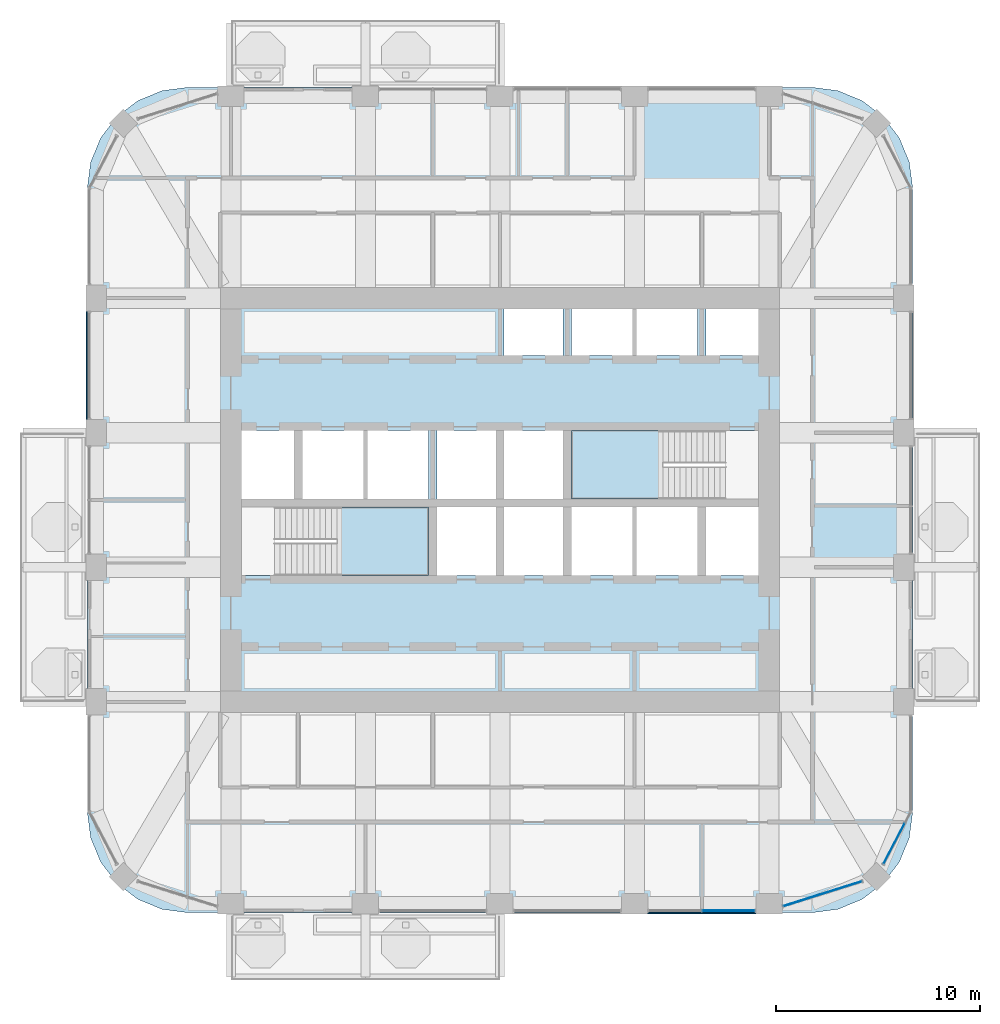
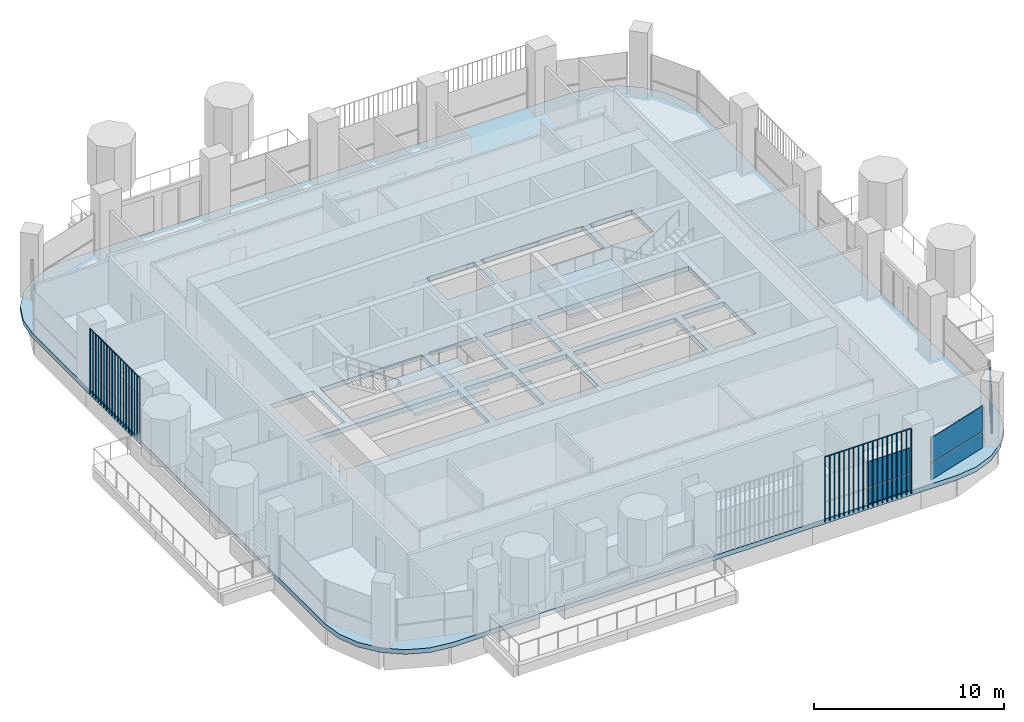
# One storey, part 9 of 20: 8 plates, 3 slabs, 5 elements without a shape of their own.
"""IFC4 building model written with IfcOpenShell, lengths in metres."""

from ifc_helpers import new_model, si_unit, direction, frame, origin, origin_2d, place, context, subcontext, project, spatial, polyline, rectangle, outline, extrude, material, layer, layer_set, type_object, element, aggregate, save


model = new_model("IFC4")

# Units and contexts
model_context = context("Model", 3, precision=1e-05, world=origin(), true_north=direction((0.0, 1.0)))
body_context = subcontext(model_context, "Body", "Model", "MODEL_VIEW")
ifc_project = project(units=[si_unit("LENGTHUNIT", "METRE"), si_unit("AREAUNIT", "SQUARE_METRE"), si_unit("VOLUMEUNIT", "CUBIC_METRE"), si_unit("PLANEANGLEUNIT", "RADIAN"), si_unit("MASSUNIT", "GRAM", prefix="KILO")], contexts=[model_context])

# Site, building, storey
site_placement = place(None, origin())
site = spatial("IfcSite", under=ifc_project, at=site_placement, CompositionType="ELEMENT")
building_placement = place(site_placement, origin())
building = spatial("IfcBuilding", under=site, at=building_placement, Name="Cobogo Forest Laboratory Tower", CompositionType="ELEMENT")
storey_placement = place(building_placement, frame((0.0, 0.0, 246.0)))
storey = spatial("IfcBuildingStorey", under=building, at=storey_placement, Name="L56", CompositionType="ELEMENT", Elevation=246.0)

# Slab
ifc_material_1 = material(Name="Concrete HA-40 (C40/50)", Category="concrete")
ifc_layer_1 = layer(ifc_material_1, 0.300048828125)
ifc_layer_set_1 = layer_set([ifc_layer_1], Name="Floor slab 300")
slab_type_1 = type_object("IfcSlabType", Name="Floor slab 300", PredefinedType="FLOOR", material=ifc_layer_set_1)
slab_1_placement = place(storey_placement, frame((0.0, 0.0, -0.300048828125)))
element("IfcSlab", 1, at=slab_1_placement, inside=storey, type_object=slab_type_1, Name="L56 floor slab", PredefinedType="FLOOR", context=body_context, shape_type="SweptSolid", body=[
    extrude(outline(polyline([(41.699951171875, 2.85009765625), (42.981201171875, 3.0185546875), (44.175048828125, 3.51318359375), (45.2001953125, 4.2998046875), (45.98681640625, 5.324951171875), (46.4814453125, 6.518798828125), (46.64990234375, 7.800048828125), (46.64990234375, 38.39990234375), (46.4814453125, 39.68115234375), (45.98681640625, 40.875), (45.2001953125, 41.900146484375), (44.175048828125, 42.686767578125), (42.981201171875, 43.181396484375), (41.699951171875, 43.35009765625), (11.10009765625, 43.35009765625), (9.81884765625, 43.181396484375), (8.625, 42.686767578125), (7.599853515625, 41.900146484375), (6.813232421875, 40.875), (6.318603515625, 39.68115234375), (6.14990234375, 38.39990234375), (6.14990234375, 7.800048828125), (6.318603515625, 6.518798828125), (6.813232421875, 5.324951171875), (7.599853515625, 4.2998046875), (8.625, 3.51318359375), (9.81884765625, 3.0185546875), (11.10009765625, 2.85009765625), (41.699951171875, 2.85009765625)]), holes=[polyline([(22.89990234375, 19.39990234375), (13.72509765625, 19.39990234375), (13.72509765625, 22.75), (22.89990234375, 22.75), (22.89990234375, 19.39990234375)]), polyline([(26.199951171875, 19.39990234375), (23.300048828125, 19.39990234375), (23.300048828125, 22.75), (26.199951171875, 22.75), (26.199951171875, 19.39990234375)]), polyline([(29.5, 19.39990234375), (26.60009765625, 19.39990234375), (26.60009765625, 22.75), (29.5, 22.75), (29.5, 19.39990234375)]), polyline([(36.10009765625, 22.75), (36.10009765625, 19.39990234375), (29.89990234375, 19.39990234375), (29.89990234375, 22.75), (36.10009765625, 22.75)]), polyline([(39.074951171875, 19.39990234375), (36.5, 19.39990234375), (36.5, 22.75), (39.074951171875, 22.75), (39.074951171875, 19.39990234375)]), polyline([(16.300048828125, 23.14990234375), (13.72509765625, 23.14990234375), (13.72509765625, 26.5), (16.300048828125, 26.5), (16.300048828125, 23.14990234375)]), polyline([(22.89990234375, 26.5), (22.89990234375, 23.14990234375), (16.699951171875, 23.14990234375), (16.699951171875, 26.5), (22.89990234375, 26.5)]), polyline([(26.199951171875, 23.14990234375), (23.300048828125, 23.14990234375), (23.300048828125, 26.5), (26.199951171875, 26.5), (26.199951171875, 23.14990234375)]), polyline([(29.5, 23.14990234375), (26.60009765625, 23.14990234375), (26.60009765625, 26.5), (29.5, 26.5), (29.5, 23.14990234375)]), polyline([(39.074951171875, 23.14990234375), (29.89990234375, 23.14990234375), (29.89990234375, 26.5), (39.074951171875, 26.5), (39.074951171875, 23.14990234375)]), polyline([(29.5, 30.199951171875), (26.60009765625, 30.199951171875), (26.60009765625, 32.47509765625), (29.5, 32.47509765625), (29.5, 30.199951171875)]), polyline([(36.10009765625, 32.47509765625), (36.10009765625, 30.199951171875), (29.89990234375, 30.199951171875), (29.89990234375, 32.47509765625), (36.10009765625, 32.47509765625)]), polyline([(39.074951171875, 30.199951171875), (36.5, 30.199951171875), (36.5, 32.47509765625), (39.074951171875, 32.47509765625), (39.074951171875, 30.199951171875)])]), origin(), (0.0, 0.0, 1.0), 0.300048828125),
])

# Curtain wall, plates
ifc_material_2 = material(Name="Aluminium curtain wall", Category="aluminium")
curtain_wall_type = type_object("IfcCurtainWallType", Name="CW-2 unitised curtain wall, solar control glazing, laboratory floors zones C and D", PredefinedType="USERDEFINED", material=ifc_material_2)
curtain_wall_1_placement = place(storey_placement, origin())
curtain_wall_1 = element("IfcCurtainWall", 2, at=curtain_wall_1_placement, inside=storey, type_object=curtain_wall_type, Name="Curtain wall 04 L56", ObjectType="UNITISED CURTAIN WALL", PredefinedType="USERDEFINED")
ifc_material_3 = material(Name="Solar control insulated glass", Category="glass")
ifc_layer_2 = layer(ifc_material_3, 0.031982421875)
ifc_layer_set_2 = layer_set([ifc_layer_2], Name="GP-2 solar control glass unit 32")
plate_type_1 = type_object("IfcPlateType", Name="GP-2 solar control glass unit 32", PredefinedType="CURTAIN_PANEL", material=ifc_layer_set_2)
plate_1_placement = place(storey_placement, frame((37.610107421875, 2.949951171875, 0.0), z_axis=(0.0, 0.0, 1.0), x_axis=(1.0, 0.0, 0.0)))
plate_1 = element("IfcPlate", 3, at=plate_1_placement, type_object=plate_type_1, Name="CW-2 panel 2.1", PredefinedType="CURTAIN_PANEL", context=body_context, shape_type="SweptSolid", body=[
    extrude(rectangle(XDim=2.56005859375, YDim=0.031982421875, at=origin_2d()), origin(), (0.0, 0.0, 1.0), 1.02001953125),
])
plate_2_placement = place(storey_placement, frame((37.610107421875, 2.949951171875, 1.079833984375), z_axis=(0.0, 0.0, 1.0), x_axis=(1.0, 0.0, 0.0)))
plate_2 = element("IfcPlate", 4, at=plate_2_placement, type_object=plate_type_1, Name="CW-2 panel 2.2", PredefinedType="CURTAIN_PANEL", context=body_context, shape_type="SweptSolid", body=[
    extrude(rectangle(XDim=2.56005859375, YDim=0.031982421875, at=origin_2d()), origin(), (0.0, 0.0, 1.0), 1.6201171875),
])
aggregate(curtain_wall_1, [plate_1, plate_2])

curtain_wall_2_placement = place(storey_placement, origin())
curtain_wall_2 = element("IfcCurtainWall", 5, at=curtain_wall_2_placement, inside=storey, type_object=curtain_wall_type, Name="Curtain wall 05 L56", ObjectType="UNITISED CURTAIN WALL", PredefinedType="USERDEFINED")
plate_3_placement = place(storey_placement, frame((42.2275390625, 3.77978515625, 0.0), z_axis=(0.0, 0.0, 1.0), x_axis=(0.953581386052, 0.301135418334, 0.0)))
plate_3 = element("IfcPlate", 6, at=plate_3_placement, type_object=plate_type_1, Name="CW-2 panel 1.1", PredefinedType="CURTAIN_PANEL", context=body_context, shape_type="SweptSolid", body=[
    extrude(rectangle(XDim=4.02734375, YDim=0.031982421875, at=origin_2d()), origin(), (0.0, 0.0, 1.0), 1.02001953125),
])
plate_4_placement = place(storey_placement, frame((42.2275390625, 3.77978515625, 1.079833984375), z_axis=(0.0, 0.0, 1.0), x_axis=(0.953581386052, 0.301135418334, 0.0)))
plate_4 = element("IfcPlate", 7, at=plate_4_placement, type_object=plate_type_1, Name="CW-2 panel 1.2", PredefinedType="CURTAIN_PANEL", context=body_context, shape_type="SweptSolid", body=[
    extrude(rectangle(XDim=4.02734375, YDim=0.031982421875, at=origin_2d()), origin(), (0.0, 0.0, 1.0), 1.6201171875),
])
aggregate(curtain_wall_2, [plate_3, plate_4])

curtain_wall_3_placement = place(storey_placement, origin())
curtain_wall_3 = element("IfcCurtainWall", 8, at=curtain_wall_3_placement, inside=storey, type_object=curtain_wall_type, Name="Curtain wall 06 L56", ObjectType="UNITISED CURTAIN WALL", PredefinedType="USERDEFINED")
plate_5_placement = place(storey_placement, frame((45.7353515625, 6.24609375, 0.0), z_axis=(0.0, 0.0, 1.0), x_axis=(0.464283791352, 0.885686491422, 0.0)))
plate_5 = element("IfcPlate", 9, at=plate_5_placement, type_object=plate_type_1, Name="CW-2 panel 1.1", PredefinedType="CURTAIN_PANEL", context=body_context, shape_type="SweptSolid", body=[
    extrude(rectangle(XDim=2.236328125, YDim=0.031982421875, at=origin_2d()), origin(), (0.0, 0.0, 1.0), 1.02001953125),
])
plate_6_placement = place(storey_placement, frame((45.7353515625, 6.24609375, 1.079833984375), z_axis=(0.0, 0.0, 1.0), x_axis=(0.464283791352, 0.885686491422, 0.0)))
plate_6 = element("IfcPlate", 10, at=plate_6_placement, type_object=plate_type_1, Name="CW-2 panel 1.2", PredefinedType="CURTAIN_PANEL", context=body_context, shape_type="SweptSolid", body=[
    extrude(rectangle(XDim=2.236328125, YDim=0.031982421875, at=origin_2d()), origin(), (0.0, 0.0, 1.0), 1.6201171875),
])
aggregate(curtain_wall_3, [plate_5, plate_6])

# Stair, slab
ifc_material_4 = material(Name="Precast concrete HA-40 (C40/50)", Category="concrete")
stair_type = type_object("IfcStairType", Name="ST24 exit stair 24 risers", PredefinedType="HALF_TURN_STAIR", material=ifc_material_4)
stair_1_placement = place(storey_placement, origin())
stair_1 = element("IfcStair", 11, at=stair_1_placement, inside=storey, type_object=stair_type, Name="Stair 1 L56 to L57", PredefinedType="HALF_TURN_STAIR")
ifc_layer_3 = layer(ifc_material_1, 0.199951171875)
ifc_layer_set_3 = layer_set([ifc_layer_3], Name="SL stair landing 200")
slab_type_2 = type_object("IfcSlabType", Name="SL stair landing 200", PredefinedType="LANDING", material=ifc_layer_set_3)
slab_2_placement = place(storey_placement, frame((0.0, 0.0, 1.89990234375)))
slab_2 = element("IfcSlab", 12, at=slab_2_placement, type_object=slab_type_2, Name="ST1 landing 2", PredefinedType="LANDING", context=body_context, shape_type="SweptSolid", body=[
    extrude(outline(polyline([(18.403076171875, 19.39990234375), (22.89990234375, 19.39990234375), (22.89990234375, 22.75), (18.403076171875, 22.75), (18.403076171875, 19.39990234375)])), origin(), (0.0, 0.0, 1.0), 0.2001953125),
])
aggregate(stair_1, [slab_2])

stair_2_placement = place(storey_placement, origin())
stair_2 = element("IfcStair", 13, at=stair_2_placement, inside=storey, type_object=stair_type, Name="Stair 2 L56 to L57", PredefinedType="HALF_TURN_STAIR")
slab_3_placement = place(storey_placement, frame((0.0, 0.0, 1.89990234375)))
slab_3 = element("IfcSlab", 14, at=slab_3_placement, type_object=slab_type_2, Name="ST2 landing 2", PredefinedType="LANDING", context=body_context, shape_type="SweptSolid", body=[
    extrude(outline(polyline([(29.89990234375, 23.14990234375), (34.39697265625, 23.14990234375), (34.39697265625, 26.5), (29.89990234375, 26.5), (29.89990234375, 23.14990234375)])), origin(), (0.0, 0.0, 1.0), 0.2001953125),
])
aggregate(stair_2, [slab_3])

# Plates
ifc_material_5 = material(Name="Terracotta", Category="masonry")
plate_type_2 = type_object("IfcPlateType", Name="TB1 terracotta baguette screen", PredefinedType="USERDEFINED", material=ifc_material_5)
plate_7_placement = place(storey_placement, frame((33.68115234375, 2.822021484375, -0.14990234375)))
element("IfcPlate", 15, at=plate_7_placement, inside=storey, type_object=plate_type_2, Name="Baguette screen S4 L56", ObjectType="BAGUETTE SCREEN", PredefinedType="USERDEFINED", context=body_context, shape_type="SweptSolid", body=[
    extrude(outline(polyline([(0.02880859375, 0.011962890625), (0.011962890625, 0.02880859375), (-0.011962890625, 0.02880859375), (-0.02880859375, 0.011962890625), (-0.02880859375, -0.011962890625), (-0.011962890625, -0.02880859375), (0.011962890625, -0.02880859375), (0.02880859375, -0.011962890625), (0.02880859375, 0.011962890625)])), frame((0.0, 0.0, 4.168701171875), z_axis=(1.0, 0.0, 0.0), x_axis=(0.0, 1.0, 0.0)), (0.0, 0.0, 1.0), 5.237548828125),
    extrude(outline(polyline([(0.02880859375, 0.011962890625), (0.011962890625, 0.02880859375), (-0.011962890625, 0.02880859375), (-0.02880859375, 0.011962890625), (-0.02880859375, -0.011962890625), (-0.011962890625, -0.02880859375), (0.011962890625, -0.02880859375), (0.02880859375, -0.011962890625), (0.02880859375, 0.011962890625)])), origin(), (0.0, 0.0, 1.0), 4.137451171875),
    extrude(outline(polyline([(0.02880859375, 0.011962890625), (0.011962890625, 0.02880859375), (-0.011962890625, 0.02880859375), (-0.02880859375, 0.011962890625), (-0.02880859375, -0.011962890625), (-0.011962890625, -0.02880859375), (0.011962890625, -0.02880859375), (0.02880859375, -0.011962890625), (0.02880859375, 0.011962890625)])), frame((0.291015625, 0.0, 0.0)), (0.0, 0.0, 1.0), 4.137451171875),
    extrude(outline(polyline([(0.02880859375, 0.011962890625), (0.011962890625, 0.02880859375), (-0.011962890625, 0.02880859375), (-0.02880859375, 0.011962890625), (-0.02880859375, -0.011962890625), (-0.011962890625, -0.02880859375), (0.011962890625, -0.02880859375), (0.02880859375, -0.011962890625), (0.02880859375, 0.011962890625)])), frame((0.58203125, 0.0, 0.0)), (0.0, 0.0, 1.0), 4.137451171875),
    extrude(outline(polyline([(0.02880859375, 0.011962890625), (0.011962890625, 0.02880859375), (-0.011962890625, 0.02880859375), (-0.02880859375, 0.011962890625), (-0.02880859375, -0.011962890625), (-0.011962890625, -0.02880859375), (0.011962890625, -0.02880859375), (0.02880859375, -0.011962890625), (0.02880859375, 0.011962890625)])), frame((0.873046875, 0.0, 0.0)), (0.0, 0.0, 1.0), 4.137451171875),
    extrude(outline(polyline([(0.02880859375, 0.011962890625), (0.011962890625, 0.02880859375), (-0.011962890625, 0.02880859375), (-0.02880859375, 0.011962890625), (-0.02880859375, -0.011962890625), (-0.011962890625, -0.02880859375), (0.011962890625, -0.02880859375), (0.02880859375, -0.011962890625), (0.02880859375, 0.011962890625)])), frame((1.163818359375, 0.0, 0.0)), (0.0, 0.0, 1.0), 4.137451171875),
    extrude(outline(polyline([(0.02880859375, 0.011962890625), (0.011962890625, 0.02880859375), (-0.011962890625, 0.02880859375), (-0.02880859375, 0.011962890625), (-0.02880859375, -0.011962890625), (-0.011962890625, -0.02880859375), (0.011962890625, -0.02880859375), (0.02880859375, -0.011962890625), (0.02880859375, 0.011962890625)])), frame((1.454833984375, 0.0, 0.0)), (0.0, 0.0, 1.0), 4.137451171875),
    extrude(outline(polyline([(0.02880859375, 0.011962890625), (0.011962890625, 0.02880859375), (-0.011962890625, 0.02880859375), (-0.02880859375, 0.011962890625), (-0.02880859375, -0.011962890625), (-0.011962890625, -0.02880859375), (0.011962890625, -0.02880859375), (0.02880859375, -0.011962890625), (0.02880859375, 0.011962890625)])), frame((1.745849609375, 0.0, 0.0)), (0.0, 0.0, 1.0), 4.137451171875),
    extrude(outline(polyline([(0.02880859375, 0.011962890625), (0.011962890625, 0.02880859375), (-0.011962890625, 0.02880859375), (-0.02880859375, 0.011962890625), (-0.02880859375, -0.011962890625), (-0.011962890625, -0.02880859375), (0.011962890625, -0.02880859375), (0.02880859375, -0.011962890625), (0.02880859375, 0.011962890625)])), frame((2.036865234375, 0.0, 0.0)), (0.0, 0.0, 1.0), 4.137451171875),
    extrude(outline(polyline([(0.02880859375, 0.011962890625), (0.011962890625, 0.02880859375), (-0.011962890625, 0.02880859375), (-0.02880859375, 0.011962890625), (-0.02880859375, -0.011962890625), (-0.011962890625, -0.02880859375), (0.011962890625, -0.02880859375), (0.02880859375, -0.011962890625), (0.02880859375, 0.011962890625)])), frame((2.327880859375, 0.0, 0.0)), (0.0, 0.0, 1.0), 4.137451171875),
    extrude(outline(polyline([(0.02880859375, 0.011962890625), (0.011962890625, 0.02880859375), (-0.011962890625, 0.02880859375), (-0.02880859375, 0.011962890625), (-0.02880859375, -0.011962890625), (-0.011962890625, -0.02880859375), (0.011962890625, -0.02880859375), (0.02880859375, -0.011962890625), (0.02880859375, 0.011962890625)])), frame((2.61865234375, 0.0, 0.0)), (0.0, 0.0, 1.0), 4.137451171875),
    extrude(outline(polyline([(0.02880859375, 0.011962890625), (0.011962890625, 0.02880859375), (-0.011962890625, 0.02880859375), (-0.02880859375, 0.011962890625), (-0.02880859375, -0.011962890625), (-0.011962890625, -0.02880859375), (0.011962890625, -0.02880859375), (0.02880859375, -0.011962890625), (0.02880859375, 0.011962890625)])), frame((2.90966796875, 0.0, 0.0)), (0.0, 0.0, 1.0), 4.137451171875),
    extrude(outline(polyline([(0.02880859375, 0.011962890625), (0.011962890625, 0.02880859375), (-0.011962890625, 0.02880859375), (-0.02880859375, 0.011962890625), (-0.02880859375, -0.011962890625), (-0.011962890625, -0.02880859375), (0.011962890625, -0.02880859375), (0.02880859375, -0.011962890625), (0.02880859375, 0.011962890625)])), frame((3.20068359375, 0.0, 0.0)), (0.0, 0.0, 1.0), 4.137451171875),
    extrude(outline(polyline([(0.02880859375, 0.011962890625), (0.011962890625, 0.02880859375), (-0.011962890625, 0.02880859375), (-0.02880859375, 0.011962890625), (-0.02880859375, -0.011962890625), (-0.011962890625, -0.02880859375), (0.011962890625, -0.02880859375), (0.02880859375, -0.011962890625), (0.02880859375, 0.011962890625)])), frame((3.49169921875, 0.0, 0.0)), (0.0, 0.0, 1.0), 4.137451171875),
    extrude(outline(polyline([(0.02880859375, 0.011962890625), (0.011962890625, 0.02880859375), (-0.011962890625, 0.02880859375), (-0.02880859375, 0.011962890625), (-0.02880859375, -0.011962890625), (-0.011962890625, -0.02880859375), (0.011962890625, -0.02880859375), (0.02880859375, -0.011962890625), (0.02880859375, 0.011962890625)])), frame((3.78271484375, 0.0, 0.0)), (0.0, 0.0, 1.0), 4.137451171875),
    extrude(outline(polyline([(0.02880859375, 0.011962890625), (0.011962890625, 0.02880859375), (-0.011962890625, 0.02880859375), (-0.02880859375, 0.011962890625), (-0.02880859375, -0.011962890625), (-0.011962890625, -0.02880859375), (0.011962890625, -0.02880859375), (0.02880859375, -0.011962890625), (0.02880859375, 0.011962890625)])), frame((4.07373046875, 0.0, 0.0)), (0.0, 0.0, 1.0), 4.137451171875),
    extrude(outline(polyline([(0.02880859375, 0.011962890625), (0.011962890625, 0.02880859375), (-0.011962890625, 0.02880859375), (-0.02880859375, 0.011962890625), (-0.02880859375, -0.011962890625), (-0.011962890625, -0.02880859375), (0.011962890625, -0.02880859375), (0.02880859375, -0.011962890625), (0.02880859375, 0.011962890625)])), frame((4.36474609375, 0.0, 0.0)), (0.0, 0.0, 1.0), 4.137451171875),
    extrude(outline(polyline([(0.02880859375, 0.011962890625), (0.011962890625, 0.02880859375), (-0.011962890625, 0.02880859375), (-0.02880859375, 0.011962890625), (-0.02880859375, -0.011962890625), (-0.011962890625, -0.02880859375), (0.011962890625, -0.02880859375), (0.02880859375, -0.011962890625), (0.02880859375, 0.011962890625)])), frame((4.655517578125, 0.0, 0.0)), (0.0, 0.0, 1.0), 4.137451171875),
    extrude(outline(polyline([(0.02880859375, 0.011962890625), (0.011962890625, 0.02880859375), (-0.011962890625, 0.02880859375), (-0.02880859375, 0.011962890625), (-0.02880859375, -0.011962890625), (-0.011962890625, -0.02880859375), (0.011962890625, -0.02880859375), (0.02880859375, -0.011962890625), (0.02880859375, 0.011962890625)])), frame((4.946533203125, 0.0, 0.0)), (0.0, 0.0, 1.0), 4.137451171875),
    extrude(outline(polyline([(0.02880859375, 0.011962890625), (0.011962890625, 0.02880859375), (-0.011962890625, 0.02880859375), (-0.02880859375, 0.011962890625), (-0.02880859375, -0.011962890625), (-0.011962890625, -0.02880859375), (0.011962890625, -0.02880859375), (0.02880859375, -0.011962890625), (0.02880859375, 0.011962890625)])), frame((5.237548828125, 0.0, 0.0)), (0.0, 0.0, 1.0), 4.137451171875),
])
plate_8_placement = place(storey_placement, frame((6.1220703125, 27.081298828125, -0.14990234375)))
element("IfcPlate", 16, at=plate_8_placement, inside=storey, type_object=plate_type_2, Name="Baguette screen W3 L56", ObjectType="BAGUETTE SCREEN", PredefinedType="USERDEFINED", context=body_context, shape_type="SweptSolid", body=[
    extrude(outline(polyline([(0.02880859375, 0.011962890625), (0.011962890625, 0.02880859375), (-0.011962890625, 0.02880859375), (-0.02880859375, 0.011962890625), (-0.02880859375, -0.011962890625), (-0.011962890625, -0.02880859375), (0.011962890625, -0.02880859375), (0.02880859375, -0.011962890625), (0.02880859375, 0.011962890625)])), frame((0.0, 0.0, 4.168701171875), z_axis=(0.0, 1.0, 0.0), x_axis=(-1.0, 0.0, 0.0)), (0.0, 0.0, 1.0), 5.237548828125),
    extrude(outline(polyline([(0.02880859375, 0.011962890625), (0.011962890625, 0.02880859375), (-0.011962890625, 0.02880859375), (-0.02880859375, 0.011962890625), (-0.02880859375, -0.011962890625), (-0.011962890625, -0.02880859375), (0.011962890625, -0.02880859375), (0.02880859375, -0.011962890625), (0.02880859375, 0.011962890625)])), origin(), (0.0, 0.0, 1.0), 4.137451171875),
    extrude(outline(polyline([(0.02880859375, 0.011962890625), (0.011962890625, 0.02880859375), (-0.011962890625, 0.02880859375), (-0.02880859375, 0.011962890625), (-0.02880859375, -0.011962890625), (-0.011962890625, -0.02880859375), (0.011962890625, -0.02880859375), (0.02880859375, -0.011962890625), (0.02880859375, 0.011962890625)])), frame((0.0, 0.291015625, 0.0)), (0.0, 0.0, 1.0), 4.137451171875),
    extrude(outline(polyline([(0.02880859375, 0.011962890625), (0.011962890625, 0.02880859375), (-0.011962890625, 0.02880859375), (-0.02880859375, 0.011962890625), (-0.02880859375, -0.011962890625), (-0.011962890625, -0.02880859375), (0.011962890625, -0.02880859375), (0.02880859375, -0.011962890625), (0.02880859375, 0.011962890625)])), frame((0.0, 0.58203125, 0.0)), (0.0, 0.0, 1.0), 4.137451171875),
    extrude(outline(polyline([(0.02880859375, 0.011962890625), (0.011962890625, 0.02880859375), (-0.011962890625, 0.02880859375), (-0.02880859375, 0.011962890625), (-0.02880859375, -0.011962890625), (-0.011962890625, -0.02880859375), (0.011962890625, -0.02880859375), (0.02880859375, -0.011962890625), (0.02880859375, 0.011962890625)])), frame((0.0, 0.873046875, 0.0)), (0.0, 0.0, 1.0), 4.137451171875),
    extrude(outline(polyline([(0.02880859375, 0.011962890625), (0.011962890625, 0.02880859375), (-0.011962890625, 0.02880859375), (-0.02880859375, 0.011962890625), (-0.02880859375, -0.011962890625), (-0.011962890625, -0.02880859375), (0.011962890625, -0.02880859375), (0.02880859375, -0.011962890625), (0.02880859375, 0.011962890625)])), frame((0.0, 1.163818359375, 0.0)), (0.0, 0.0, 1.0), 4.137451171875),
    extrude(outline(polyline([(0.02880859375, 0.011962890625), (0.011962890625, 0.02880859375), (-0.011962890625, 0.02880859375), (-0.02880859375, 0.011962890625), (-0.02880859375, -0.011962890625), (-0.011962890625, -0.02880859375), (0.011962890625, -0.02880859375), (0.02880859375, -0.011962890625), (0.02880859375, 0.011962890625)])), frame((0.0, 1.454833984375, 0.0)), (0.0, 0.0, 1.0), 4.137451171875),
    extrude(outline(polyline([(0.02880859375, 0.011962890625), (0.011962890625, 0.02880859375), (-0.011962890625, 0.02880859375), (-0.02880859375, 0.011962890625), (-0.02880859375, -0.011962890625), (-0.011962890625, -0.02880859375), (0.011962890625, -0.02880859375), (0.02880859375, -0.011962890625), (0.02880859375, 0.011962890625)])), frame((0.0, 1.745849609375, 0.0)), (0.0, 0.0, 1.0), 4.137451171875),
    extrude(outline(polyline([(0.02880859375, 0.011962890625), (0.011962890625, 0.02880859375), (-0.011962890625, 0.02880859375), (-0.02880859375, 0.011962890625), (-0.02880859375, -0.011962890625), (-0.011962890625, -0.02880859375), (0.011962890625, -0.02880859375), (0.02880859375, -0.011962890625), (0.02880859375, 0.011962890625)])), frame((0.0, 2.036865234375, 0.0)), (0.0, 0.0, 1.0), 4.137451171875),
    extrude(outline(polyline([(0.02880859375, 0.011962890625), (0.011962890625, 0.02880859375), (-0.011962890625, 0.02880859375), (-0.02880859375, 0.011962890625), (-0.02880859375, -0.011962890625), (-0.011962890625, -0.02880859375), (0.011962890625, -0.02880859375), (0.02880859375, -0.011962890625), (0.02880859375, 0.011962890625)])), frame((0.0, 2.327880859375, 0.0)), (0.0, 0.0, 1.0), 4.137451171875),
    extrude(outline(polyline([(0.02880859375, 0.011962890625), (0.011962890625, 0.02880859375), (-0.011962890625, 0.02880859375), (-0.02880859375, 0.011962890625), (-0.02880859375, -0.011962890625), (-0.011962890625, -0.02880859375), (0.011962890625, -0.02880859375), (0.02880859375, -0.011962890625), (0.02880859375, 0.011962890625)])), frame((0.0, 2.61865234375, 0.0)), (0.0, 0.0, 1.0), 4.137451171875),
    extrude(outline(polyline([(0.02880859375, 0.011962890625), (0.011962890625, 0.02880859375), (-0.011962890625, 0.02880859375), (-0.02880859375, 0.011962890625), (-0.02880859375, -0.011962890625), (-0.011962890625, -0.02880859375), (0.011962890625, -0.02880859375), (0.02880859375, -0.011962890625), (0.02880859375, 0.011962890625)])), frame((0.0, 2.90966796875, 0.0)), (0.0, 0.0, 1.0), 4.137451171875),
    extrude(outline(polyline([(0.02880859375, 0.011962890625), (0.011962890625, 0.02880859375), (-0.011962890625, 0.02880859375), (-0.02880859375, 0.011962890625), (-0.02880859375, -0.011962890625), (-0.011962890625, -0.02880859375), (0.011962890625, -0.02880859375), (0.02880859375, -0.011962890625), (0.02880859375, 0.011962890625)])), frame((0.0, 3.20068359375, 0.0)), (0.0, 0.0, 1.0), 4.137451171875),
    extrude(outline(polyline([(0.02880859375, 0.011962890625), (0.011962890625, 0.02880859375), (-0.011962890625, 0.02880859375), (-0.02880859375, 0.011962890625), (-0.02880859375, -0.011962890625), (-0.011962890625, -0.02880859375), (0.011962890625, -0.02880859375), (0.02880859375, -0.011962890625), (0.02880859375, 0.011962890625)])), frame((0.0, 3.49169921875, 0.0)), (0.0, 0.0, 1.0), 4.137451171875),
    extrude(outline(polyline([(0.02880859375, 0.011962890625), (0.011962890625, 0.02880859375), (-0.011962890625, 0.02880859375), (-0.02880859375, 0.011962890625), (-0.02880859375, -0.011962890625), (-0.011962890625, -0.02880859375), (0.011962890625, -0.02880859375), (0.02880859375, -0.011962890625), (0.02880859375, 0.011962890625)])), frame((0.0, 3.78271484375, 0.0)), (0.0, 0.0, 1.0), 4.137451171875),
    extrude(outline(polyline([(0.02880859375, 0.011962890625), (0.011962890625, 0.02880859375), (-0.011962890625, 0.02880859375), (-0.02880859375, 0.011962890625), (-0.02880859375, -0.011962890625), (-0.011962890625, -0.02880859375), (0.011962890625, -0.02880859375), (0.02880859375, -0.011962890625), (0.02880859375, 0.011962890625)])), frame((0.0, 4.07373046875, 0.0)), (0.0, 0.0, 1.0), 4.137451171875),
    extrude(outline(polyline([(0.02880859375, 0.011962890625), (0.011962890625, 0.02880859375), (-0.011962890625, 0.02880859375), (-0.02880859375, 0.011962890625), (-0.02880859375, -0.011962890625), (-0.011962890625, -0.02880859375), (0.011962890625, -0.02880859375), (0.02880859375, -0.011962890625), (0.02880859375, 0.011962890625)])), frame((0.0, 4.36474609375, 0.0)), (0.0, 0.0, 1.0), 4.137451171875),
    extrude(outline(polyline([(0.02880859375, 0.011962890625), (0.011962890625, 0.02880859375), (-0.011962890625, 0.02880859375), (-0.02880859375, 0.011962890625), (-0.02880859375, -0.011962890625), (-0.011962890625, -0.02880859375), (0.011962890625, -0.02880859375), (0.02880859375, -0.011962890625), (0.02880859375, 0.011962890625)])), frame((0.0, 4.655517578125, 0.0)), (0.0, 0.0, 1.0), 4.137451171875),
    extrude(outline(polyline([(0.02880859375, 0.011962890625), (0.011962890625, 0.02880859375), (-0.011962890625, 0.02880859375), (-0.02880859375, 0.011962890625), (-0.02880859375, -0.011962890625), (-0.011962890625, -0.02880859375), (0.011962890625, -0.02880859375), (0.02880859375, -0.011962890625), (0.02880859375, 0.011962890625)])), frame((0.0, 4.946533203125, 0.0)), (0.0, 0.0, 1.0), 4.137451171875),
    extrude(outline(polyline([(0.02880859375, 0.011962890625), (0.011962890625, 0.02880859375), (-0.011962890625, 0.02880859375), (-0.02880859375, 0.011962890625), (-0.02880859375, -0.011962890625), (-0.011962890625, -0.02880859375), (0.011962890625, -0.02880859375), (0.02880859375, -0.011962890625), (0.02880859375, 0.011962890625)])), frame((0.0, 5.237548828125, 0.0)), (0.0, 0.0, 1.0), 4.137451171875),
])

save(model, "model.ifc")
